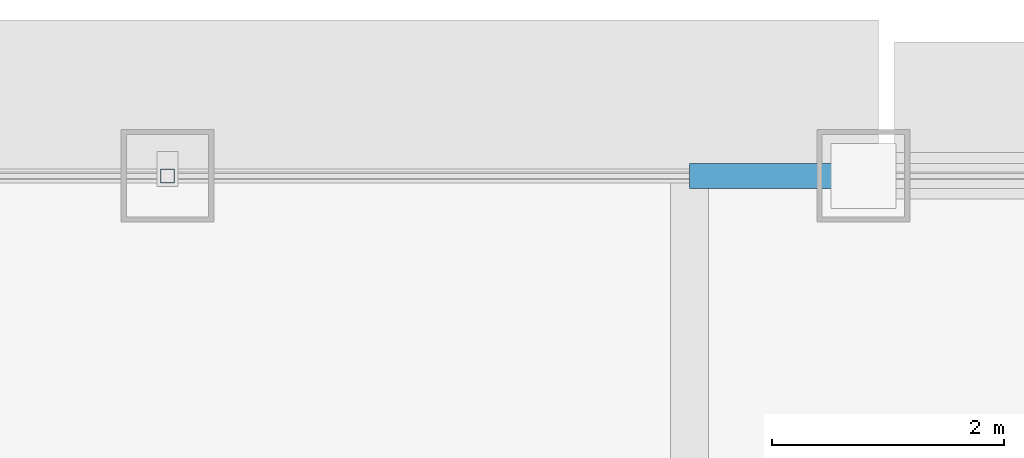
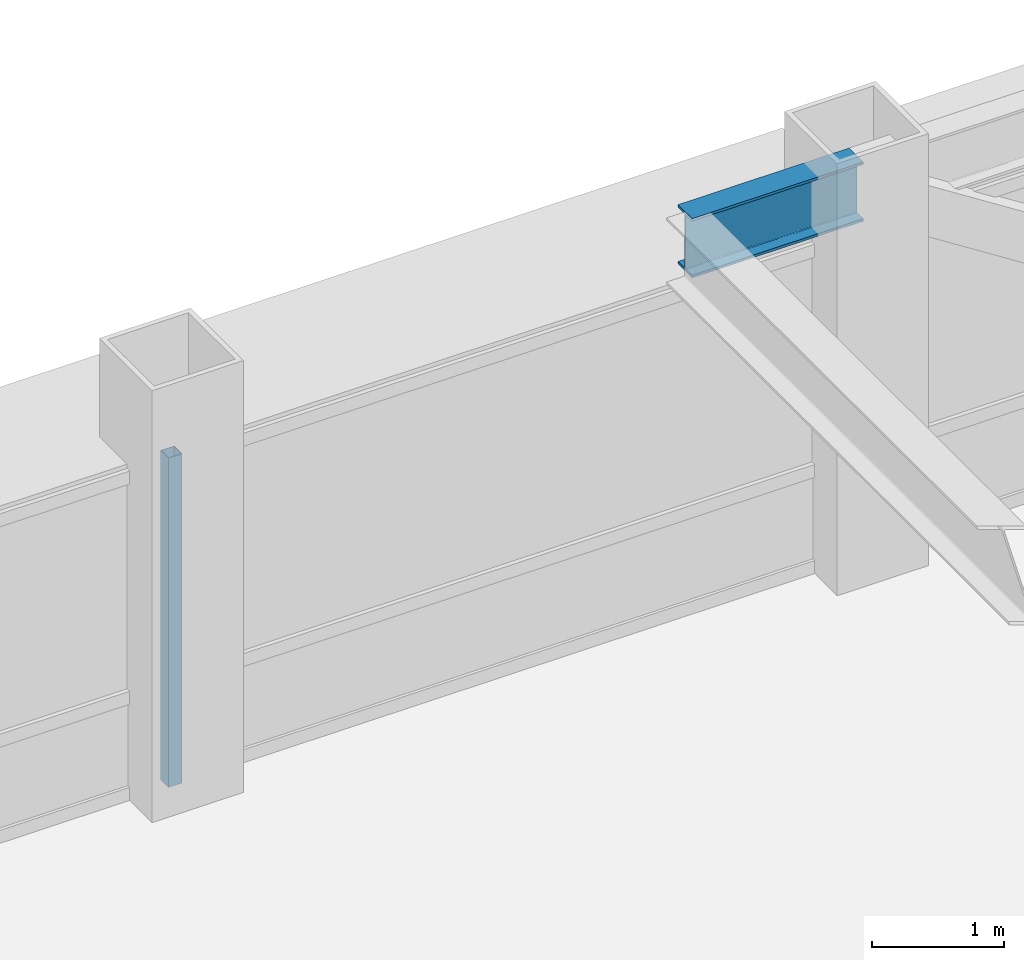
# One storey, part 18 of 32: 1 beam, 1 member, 1 element without a shape of its own.
"""IFC4 building model written with IfcOpenShell, lengths in metres."""

from ifc_helpers import new_model, si_unit, direction, frame, origin, origin_2d, place, context, subcontext, project, spatial, hollow_rectangle, i_section, extrude, source, transform, mapped, material, material_profile, profile_set, type_object, element, aggregate, save


model = new_model("IFC4")

# Units and contexts
model_context = context("Model", 3, precision=1e-05, world=origin(), true_north=direction((0.0, 1.0)))
body_context = subcontext(model_context, "Body", "Model", "MODEL_VIEW")
ifc_project = project(units=[si_unit("LENGTHUNIT", "METRE"), si_unit("AREAUNIT", "SQUARE_METRE"), si_unit("VOLUMEUNIT", "CUBIC_METRE"), si_unit("PLANEANGLEUNIT", "RADIAN"), si_unit("MASSUNIT", "GRAM", prefix="KILO")], contexts=[model_context])

# Site, building, storey
site_placement = place(None, origin())
site = spatial("IfcSite", under=ifc_project, at=site_placement, CompositionType="ELEMENT")
building_placement = place(site_placement, origin())
building = spatial("IfcBuilding", under=site, at=building_placement, Name="Khorayat Bourse Tower", CompositionType="ELEMENT")
storey_placement = place(building_placement, frame((0.0, 0.0, 342.300048828125)))
storey = spatial("IfcBuildingStorey", under=building, at=storey_placement, Name="L81", CompositionType="ELEMENT", Elevation=342.300048828125)

# Beam
ifc_material_1 = material(Name="Steel ASTM A992 Grade 50", Category="steel")
ifc_material_profile_1 = material_profile(ifc_material_1, i_section(OverallWidth=0.214111328125, OverallDepth=0.549072265625, WebThickness=0.0146484375, FlangeThickness=0.023681640625, FilletRadius=0.013916015625, at=origin_2d()), Name="W530X138")
ifc_profile_set_1 = profile_set([ifc_material_profile_1], Name="Steel ASTM A992 Grade 50")
beam_type = type_object("IfcBeamType", Name="BM-SPAN-530", PredefinedType="SPANDREL", material=ifc_profile_set_1)
shared_shape_1 = source(origin(), body_context, "Body", "SweptSolid", [
    extrude(i_section(OverallWidth=0.214111328125, OverallDepth=0.549072265625, WebThickness=0.0146484375, FlangeThickness=0.023681640625, FilletRadius=0.013916015625, at=origin_2d()), origin(), (0.0, 0.0, 1.0), 1.5),
])
beam_placement = place(storey_placement, frame((4.5, 26.0, 3.425537109375), z_axis=(1.0, 0.0, 0.0), x_axis=(0.0, 1.0, 0.0)))
element("IfcBeam", 1, at=beam_placement, inside=storey, type_object=beam_type, Name="L81 BM-SPAN-530 BM-L81-SPN-039", PredefinedType="SPANDREL", context=body_context, shape_type="MappedRepresentation", body=[
    mapped(shared_shape_1, transform((0.0, 0.0, 0.0), scale=1.0)),
])

# Curtain wall, member
ifc_material_2 = material(Name="Aluminium EN AW-6063 T6", Category="aluminium")
curtain_wall_type = type_object("IfcCurtainWallType", Name="CW-SYS-04", PredefinedType="NOTDEFINED", material=ifc_material_2)
curtain_wall_placement = place(storey_placement, origin())
curtain_wall = element("IfcCurtainWall", 2, at=curtain_wall_placement, inside=storey, type_object=curtain_wall_type, Name="L81 Curtain Wall CW-L81-N1", PredefinedType="NOTDEFINED")
ifc_material_profile_2 = material_profile(ifc_material_2, hollow_rectangle(XDim=0.1201171875, YDim=0.1201171875, WallThickness=0.0048828125, at=origin_2d()), Name="ALU 120x120x5")
ifc_profile_set_2 = profile_set([ifc_material_profile_2], Name="Aluminium EN AW-6063 T6")
member_type = type_object("IfcMemberType", Name="CWM-VERT-120", PredefinedType="MULLION", material=ifc_profile_set_2)
shared_shape_2 = source(origin(), body_context, "Body", "SweptSolid", [
    extrude(hollow_rectangle(XDim=0.1201171875, YDim=0.1201171875, WallThickness=0.0048828125, at=origin_2d()), origin(), (0.0, 0.0, 1.0), 3.050048828125),
])
member_placement = place(storey_placement, frame((0.0, 26.0, 0.0), z_axis=(0.0, 0.0, 1.0), x_axis=(0.0, 1.0, 0.0)))
member = element("IfcMember", 3, at=member_placement, type_object=member_type, Name="CW-L81-N1 Vertical Mullion 2", PredefinedType="MULLION", context=body_context, shape_type="MappedRepresentation", body=[
    mapped(shared_shape_2, transform((0.0, 0.0, 0.0), scale=1.0)),
])
aggregate(curtain_wall, [member])

save(model, "model.ifc")
